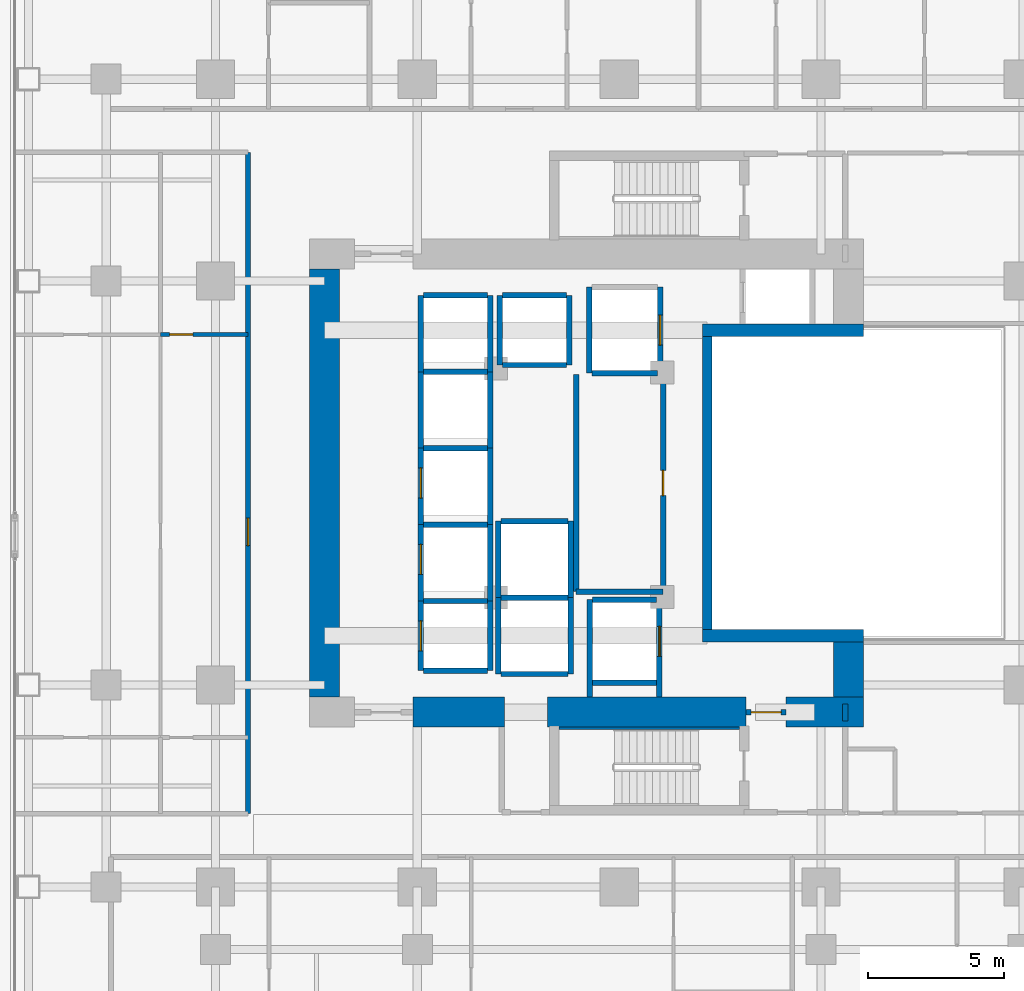
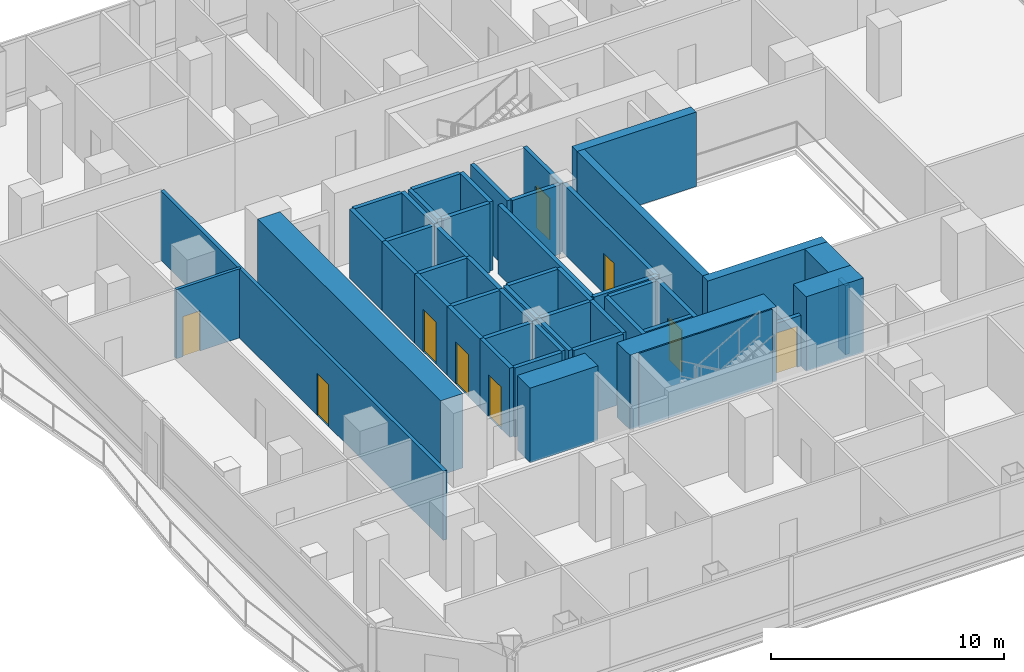
# One storey, part 21 of 27: 50 walls, 9 doors, 9 openings.
"""IFC4 building model written with IfcOpenShell, lengths in metres."""

from ifc_helpers import new_model, si_unit, direction, frame, frame_2d, origin, place, context, subcontext, project, spatial, rectangle, extrude, material, layer, layer_set, type_object, element, fill, save


model = new_model("IFC4")

# Units and contexts
model_context = context("Model", 3, precision=1e-05, world=origin(), true_north=direction((0.0, 1.0)))
body_context = subcontext(model_context, "Body", "Model", "MODEL_VIEW")
ifc_project = project(units=[si_unit("LENGTHUNIT", "METRE"), si_unit("AREAUNIT", "SQUARE_METRE"), si_unit("VOLUMEUNIT", "CUBIC_METRE"), si_unit("PLANEANGLEUNIT", "RADIAN"), si_unit("MASSUNIT", "GRAM", prefix="KILO")], contexts=[model_context])

# Site, building, storey
site_placement = place(None, origin())
site = spatial("IfcSite", under=ifc_project, at=site_placement, CompositionType="ELEMENT")
building_placement = place(site_placement, origin())
building = spatial("IfcBuilding", under=site, at=building_placement, Name="Khorvyn Point Tower", CompositionType="ELEMENT")
storey_placement = place(building_placement, frame((0.0, 0.0, 50.10009765625)))
storey = spatial("IfcBuildingStorey", under=building, at=storey_placement, Name="L13", CompositionType="ELEMENT", Elevation=50.10009765625)

# Wall, opening, door
ifc_material_1 = material(Name="Double acoustic gypsum on twin steel stud", Category="steel")
ifc_layer_1 = layer(ifc_material_1, 0.179931640625)
ifc_layer_set_1 = layer_set([ifc_layer_1], Name="Acoustic Double-Stud Apartment Demising Wall 180")
wall_type_1 = type_object("IfcWallType", Name="Acoustic Double-Stud Apartment Demising Wall 180", PredefinedType="PARTITIONING", material=ifc_layer_set_1)
wall_1_placement = place(storey_placement, frame((-13.60009765625, -12.1201171875, 0.0), z_axis=(0.0, 0.0, 1.0), x_axis=(0.0, 1.0, 0.0)))
wall_1 = element("IfcWall", 1, at=wall_1_placement, inside=storey, type_object=wall_type_1, Name="Wall", PredefinedType="PARTITIONING", context=body_context, shape_type="SweptSolid", body=[
    extrude(rectangle(XDim=24.240234375, YDim=0.179931640625, at=frame_2d((12.1201171875, 0.0))), origin(), (0.0, 0.0, 1.0), 3.619873046875),
])
opening_1_placement = place(wall_1_placement, frame((9.829345703125, 0.0, 0.0)))
opening_1 = element("IfcOpeningElement", 2, at=opening_1_placement, cuts=wall_1, Name="Opening ID-AP60", PredefinedType="OPENING", context=body_context, shape_type="SweptSolid", body=[
    extrude(rectangle(XDim=1.0, YDim=2.199951171875, at=frame_2d((0.5, 1.10009765625))), frame((0.0, 0.099853515625, 0.0), z_axis=(0.0, -1.0, 0.0), x_axis=(1.0, 0.0, 0.0)), (0.0, 0.0, 1.0), 0.199951171875),
])
ifc_material_2 = material(Name="Engineered hardwood fire-rated leaf", Category="wood")
door_type_1 = type_object("IfcDoorType", Name="Acoustic Solid-Core Timber Apartment Entrance Door 1000x2200", OperationType="NOTDEFINED", PredefinedType="DOOR", material=ifc_material_2)
door_1_placement = place(opening_1_placement, origin())
door_1 = element("IfcDoor", 3, at=door_1_placement, inside=storey, type_object=door_type_1, Name="Door", OperationType="SINGLE_SWING_LEFT", OverallHeight=2.199951171875, OverallWidth=1.0, PredefinedType="DOOR", context=body_context, shape_type="SweptSolid", body=[
    extrude(rectangle(XDim=1.0, YDim=2.199951171875, at=frame_2d((0.5, 1.10009765625))), frame((0.0, 0.02490234375, 0.0), z_axis=(0.0, -1.0, 0.0), x_axis=(1.0, 0.0, 0.0)), (0.0, 0.0, 1.0), 0.050048828125),
])
fill(opening_1, door_1)

# Walls
ifc_material_3 = material(Name="Concrete C40/50", Category="concrete")
ifc_layer_2 = layer(ifc_material_3, 0.449951171875)
ifc_layer_set_2 = layer_set([ifc_layer_2], Name="Concrete C40/50 Core Shear Wall 450")
wall_type_2 = type_object("IfcWallType", Name="Concrete C40/50 Core Shear Wall 450", PredefinedType="SHEAR", material=ifc_layer_set_2)
for number, where, z_axis, x_axis, name in (
    (4, (3.044921875, -5.60009765625, 0.0), (0.0, 0.0, 1.0), (1.0, 0.0, 0.0), "Wall"),
    (5, (3.044921875, 5.60009765625, 0.0), (0.0, 0.0, 1.0), (1.0, 0.0, 0.0), "Wall"),
):
    element("IfcWall", number, at=place(storey_placement, frame(where, z_axis=z_axis, x_axis=x_axis)), inside=storey, type_object=wall_type_2, Name=name, PredefinedType="SHEAR", context=body_context, shape_type="SweptSolid", body=[
        extrude(rectangle(XDim=5.905029296875, YDim=0.449951171875, at=frame_2d((2.95263671875, 0.0))), origin(), (0.0, 0.0, 1.0), 3.89990234375),
    ])

# Wall, opening, door
ifc_layer_3 = layer(ifc_material_3, 0.199951171875)
ifc_layer_set_3 = layer_set([ifc_layer_3], Name="Concrete C40/50 Fire-Lobby Compartment Wall 200")
wall_type_3 = type_object("IfcWallType", Name="Concrete C40/50 Fire-Lobby Compartment Wall 200", PredefinedType="SOLIDWALL", material=ifc_layer_set_3)
wall_2_placement = place(storey_placement, frame((4.64990234375, -8.39990234375, 0.0), z_axis=(0.0, 0.0, 1.0), x_axis=(1.0, 0.0, 0.0)))
wall_2 = element("IfcWall", 6, at=wall_2_placement, inside=storey, type_object=wall_type_3, Name="Wall", PredefinedType="SOLIDWALL", context=body_context, shape_type="SweptSolid", body=[
    extrude(rectangle(XDim=1.47021484375, YDim=0.199951171875, at=frame_2d((0.735107421875, 0.0))), origin(), (0.0, 0.0, 1.0), 2.659912109375),
])
opening_2_placement = place(wall_2_placement, frame((0.18505859375, 0.0, 0.0)))
opening_2 = element("IfcOpeningElement", 7, at=opening_2_placement, cuts=wall_2, Name="Opening ID-FL90", PredefinedType="OPENING", context=body_context, shape_type="SweptSolid", body=[
    extrude(rectangle(XDim=1.10009765625, YDim=2.14990234375, at=frame_2d((0.550048828125, 1.074951171875))), frame((0.0, 0.10986328125, 0.0), z_axis=(0.0, -1.0, 0.0), x_axis=(1.0, 0.0, 0.0)), (0.0, 0.0, 1.0), 0.219970703125),
])
ifc_material_4 = material(Name="Galvanised powder-coated steel", Category="steel")
door_type_2 = type_object("IfcDoorType", Name="Fire-Rated Steel Lobby and Stair Door 1100x2150", OperationType="NOTDEFINED", PredefinedType="DOOR", material=ifc_material_4)
door_2_placement = place(opening_2_placement, origin())
door_2 = element("IfcDoor", 8, at=door_2_placement, inside=storey, type_object=door_type_2, Name="Door", OperationType="SINGLE_SWING_LEFT", OverallHeight=2.14990234375, OverallWidth=1.10009765625, PredefinedType="DOOR", context=body_context, shape_type="SweptSolid", body=[
    extrude(rectangle(XDim=1.10009765625, YDim=2.14990234375, at=frame_2d((0.550048828125, 1.074951171875))), frame((0.0, 0.02490234375, 0.0), z_axis=(0.0, -1.0, 0.0), x_axis=(1.0, 0.0, 0.0)), (0.0, 0.0, 1.0), 0.050048828125),
])
fill(opening_2, door_2)

wall_3_placement = place(storey_placement, frame((1.610107421875, -3.97998046875, 0.0), z_axis=(0.0, 0.0, 1.0), x_axis=(0.0, 1.0, 0.0)))
wall_3 = element("IfcWall", 9, at=wall_3_placement, inside=storey, type_object=wall_type_3, Name="Wall", PredefinedType="SOLIDWALL", context=body_context, shape_type="SweptSolid", body=[
    extrude(rectangle(XDim=7.9599609375, YDim=0.199951171875, at=frame_2d((3.97998046875, 0.0))), origin(), (0.0, 0.0, 1.0), 3.619873046875),
])
opening_3_placement = place(wall_3_placement, frame((3.52001953125, 0.0, 0.0)))
opening_3 = element("IfcOpeningElement", 10, at=opening_3_placement, cuts=wall_3, Name="Opening ID-RS60", PredefinedType="OPENING", context=body_context, shape_type="SweptSolid", body=[
    extrude(rectangle(XDim=0.919921875, YDim=2.10009765625, at=frame_2d((0.4599609375, 1.050048828125))), frame((0.0, 0.10986328125, 0.0), z_axis=(0.0, -1.0, 0.0), x_axis=(1.0, 0.0, 0.0)), (0.0, 0.0, 1.0), 0.219970703125),
])
door_type_3 = type_object("IfcDoorType", Name="Fire-Rated Riser and Store Steel Door 920x2100", OperationType="NOTDEFINED", PredefinedType="DOOR", material=ifc_material_4)
door_3_placement = place(opening_3_placement, origin())
door_3 = element("IfcDoor", 11, at=door_3_placement, inside=storey, type_object=door_type_3, Name="Door", OperationType="SINGLE_SWING_RIGHT", OverallHeight=2.10009765625, OverallWidth=0.919921875, PredefinedType="DOOR", context=body_context, shape_type="SweptSolid", body=[
    extrude(rectangle(XDim=0.919921875, YDim=2.10009765625, at=frame_2d((0.4599609375, 1.050048828125))), frame((0.0, 0.02490234375, 0.0), z_axis=(0.0, -1.0, 0.0), x_axis=(1.0, 0.0, 0.0)), (0.0, 0.0, 1.0), 0.050048828125),
])
fill(opening_3, door_3)

# Walls
wall_4_placement = place(storey_placement, frame((-1.580078125, -3.97998046875, 0.0), z_axis=(0.0, 0.0, 1.0), x_axis=(0.0, 1.0, 0.0)))
element("IfcWall", 12, at=wall_4_placement, inside=storey, type_object=wall_type_3, Name="Wall", PredefinedType="SOLIDWALL", context=body_context, shape_type="SweptSolid", body=[
    extrude(rectangle(XDim=7.9599609375, YDim=0.199951171875, at=frame_2d((3.97998046875, 0.0))), origin(), (0.0, 0.0, 1.0), 3.619873046875),
])
wall_5_placement = place(storey_placement, frame((-1.580078125, -3.97998046875, 0.0), z_axis=(0.0, 0.0, 1.0), x_axis=(1.0, 0.0, 0.0)))
element("IfcWall", 13, at=wall_5_placement, inside=storey, type_object=wall_type_3, Name="Wall", PredefinedType="SOLIDWALL", context=body_context, shape_type="SweptSolid", body=[
    extrude(rectangle(XDim=3.190185546875, YDim=0.199951171875, at=frame_2d((1.59521484375, 0.0))), origin(), (0.0, 0.0, 1.0), 3.619873046875),
])
wall_6_placement = place(storey_placement, frame((8.280029296875, -8.72509765625, 0.0), z_axis=(0.0, 0.0, 1.0), x_axis=(0.0, 1.0, 0.0)))
element("IfcWall", 14, at=wall_6_placement, inside=storey, type_object=wall_type_3, Name="Wall", PredefinedType="SOLIDWALL", context=body_context, shape_type="SweptSolid", body=[
    extrude(rectangle(XDim=0.625, YDim=0.199951171875, at=frame_2d((0.3125, 0.0))), origin(), (0.0, 0.0, 1.0), 3.619873046875),
])
ifc_layer_4 = layer(ifc_material_3, 0.25)
ifc_layer_set_4 = layer_set([ifc_layer_4], Name="Concrete C40/50 Stair Inner Cheek Structural Wall 250")
wall_type_4 = type_object("IfcWallType", Name="Concrete C40/50 Stair Inner Cheek Structural Wall 250", PredefinedType="SHEAR", material=ifc_layer_set_4)
wall_7_placement = place(storey_placement, frame((-2.199951171875, -8.987548828125, 0.0), z_axis=(0.0, 0.0, 1.0), x_axis=(1.0, 0.0, 0.0)))
element("IfcWall", 15, at=wall_7_placement, inside=storey, type_object=wall_type_4, Name="Wall", PredefinedType="SHEAR", context=body_context, shape_type="SweptSolid", body=[
    extrude(rectangle(XDim=6.599853515625, YDim=0.074951171875, at=frame_2d((3.2998046875, 0.0))), origin(), (0.0, 0.0, 1.0), 3.89990234375),
])
ifc_layer_5 = layer(ifc_material_3, 0.35009765625)
ifc_layer_set_5 = layer_set([ifc_layer_5], Name="Concrete C40/50 Stair Shaft Structural Wall 350")
wall_type_5 = type_object("IfcWallType", Name="Concrete C40/50 Stair Shaft Structural Wall 350", PredefinedType="SHEAR", material=ifc_layer_set_5)
wall_8_placement = place(storey_placement, frame((3.219970703125, -5.375, 0.0), z_axis=(0.0, 0.0, 1.0), x_axis=(0.0, 1.0, 0.0)))
element("IfcWall", 16, at=wall_8_placement, inside=storey, type_object=wall_type_5, Name="Wall", PredefinedType="SHEAR", context=body_context, shape_type="SweptSolid", body=[
    extrude(rectangle(XDim=10.75, YDim=0.35009765625, at=frame_2d((5.375, 0.0))), origin(), (0.0, 0.0, 1.0), 3.89990234375),
])

# Wall, opening, door
ifc_layer_6 = layer(ifc_material_3, 0.199951171875)
ifc_layer_set_6 = layer_set([ifc_layer_6], Name="Concrete C40/50 Structural Hoistway and Stair Shaft Wall 200")
wall_type_6 = type_object("IfcWallType", Name="Concrete C40/50 Structural Hoistway and Stair Shaft Wall 200", PredefinedType="SHEAR", material=ifc_layer_set_6)
wall_9_placement = place(storey_placement, frame((-7.27490234375, -6.875, 0.0), z_axis=(0.0, 0.0, 1.0), x_axis=(0.0, 1.0, 0.0)))
wall_9 = element("IfcWall", 17, at=wall_9_placement, inside=storey, type_object=wall_type_6, Name="Wall", PredefinedType="SHEAR", context=body_context, shape_type="SweptSolid", body=[
    extrude(rectangle(XDim=2.550048828125, YDim=0.199951171875, at=frame_2d((1.27490234375, 0.0))), origin(), (0.0, 0.0, 1.0), 3.619873046875),
])
opening_4_placement = place(wall_9_placement, frame((0.72509765625, 0.0, 0.0)))
opening_4 = element("IfcOpeningElement", 18, at=opening_4_placement, cuts=wall_9, Name="Opening LD-1122", PredefinedType="OPENING", context=body_context, shape_type="SweptSolid", body=[
    extrude(rectangle(XDim=1.10009765625, YDim=2.199951171875, at=frame_2d((0.550048828125, 1.10009765625))), frame((0.0, 0.10986328125, 0.0), z_axis=(0.0, -1.0, 0.0), x_axis=(1.0, 0.0, 0.0)), (0.0, 0.0, 1.0), 0.219970703125),
])
ifc_material_5 = material(Name="Stainless steel 1.4301", Category="steel")
door_type_4 = type_object("IfcDoorType", Name="Stainless Steel Automatic Sliding Lift Landing Door 1100x2200", OperationType="SLIDING_TO_LEFT", PredefinedType="DOOR", material=ifc_material_5)
door_4_placement = place(opening_4_placement, origin())
door_4 = element("IfcDoor", 19, at=door_4_placement, inside=storey, type_object=door_type_4, Name="L13 RL-01 Sliding Lift Landing Door", OperationType="SLIDING_TO_LEFT", OverallHeight=2.199951171875, OverallWidth=1.10009765625, PredefinedType="DOOR", context=body_context, shape_type="SweptSolid", body=[
    extrude(rectangle(XDim=1.10009765625, YDim=2.199951171875, at=frame_2d((0.550048828125, 1.10009765625))), frame((0.0, 0.02490234375, 0.0), z_axis=(0.0, -1.0, 0.0), x_axis=(1.0, 0.0, 0.0)), (0.0, 0.0, 1.0), 0.050048828125),
])
fill(opening_4, door_4)

# Walls
wall_10_placement = place(storey_placement, frame((-4.72509765625, -6.875, 0.0), z_axis=(0.0, 0.0, 1.0), x_axis=(0.0, 1.0, 0.0)))
element("IfcWall", 20, at=wall_10_placement, inside=storey, type_object=wall_type_6, Name="Wall", PredefinedType="SHEAR", context=body_context, shape_type="SweptSolid", body=[
    extrude(rectangle(XDim=2.550048828125, YDim=0.199951171875, at=frame_2d((1.27490234375, 0.0))), origin(), (0.0, 0.0, 1.0), 3.619873046875),
])
for number, where, z_axis, x_axis, name in (
    (21, (-7.175048828125, -6.875, 0.0), (0.0, 0.0, 1.0), (1.0, 0.0, 0.0), "Wall"),
    (22, (-7.175048828125, -4.324951171875, 0.0), (0.0, 0.0, 1.0), (1.0, 0.0, 0.0), "Wall"),
):
    element("IfcWall", number, at=place(storey_placement, frame(where, z_axis=z_axis, x_axis=x_axis)), inside=storey, type_object=wall_type_6, Name=name, PredefinedType="SHEAR", context=body_context, shape_type="SweptSolid", body=[
        extrude(rectangle(XDim=2.35009765625, YDim=0.199951171875, at=frame_2d((1.175048828125, 0.0))), origin(), (0.0, 0.0, 1.0), 3.619873046875),
    ])

# Wall, opening, door
wall_11_placement = place(storey_placement, frame((-7.27490234375, -4.324951171875, 0.0), z_axis=(0.0, 0.0, 1.0), x_axis=(0.0, 1.0, 0.0)))
wall_11 = element("IfcWall", 23, at=wall_11_placement, inside=storey, type_object=wall_type_6, Name="Wall", PredefinedType="SHEAR", context=body_context, shape_type="SweptSolid", body=[
    extrude(rectangle(XDim=2.800048828125, YDim=0.199951171875, at=frame_2d((1.39990234375, 0.0))), origin(), (0.0, 0.0, 1.0), 3.619873046875),
])
opening_5_placement = place(wall_11_placement, frame((0.97509765625, 0.0, 0.0)))
opening_5 = element("IfcOpeningElement", 24, at=opening_5_placement, cuts=wall_11, Name="Opening LD-1122", PredefinedType="OPENING", context=body_context, shape_type="SweptSolid", body=[
    extrude(rectangle(XDim=1.10009765625, YDim=2.199951171875, at=frame_2d((0.550048828125, 1.10009765625))), frame((0.0, 0.10986328125, 0.0), z_axis=(0.0, -1.0, 0.0), x_axis=(1.0, 0.0, 0.0)), (0.0, 0.0, 1.0), 0.219970703125),
])
door_5_placement = place(opening_5_placement, origin())
door_5 = element("IfcDoor", 25, at=door_5_placement, inside=storey, type_object=door_type_4, Name="L13 RL-02 Sliding Lift Landing Door", OperationType="SLIDING_TO_LEFT", OverallHeight=2.199951171875, OverallWidth=1.10009765625, PredefinedType="DOOR", context=body_context, shape_type="SweptSolid", body=[
    extrude(rectangle(XDim=1.10009765625, YDim=2.199951171875, at=frame_2d((0.550048828125, 1.10009765625))), frame((0.0, 0.02490234375, 0.0), z_axis=(0.0, -1.0, 0.0), x_axis=(1.0, 0.0, 0.0)), (0.0, 0.0, 1.0), 0.050048828125),
])
fill(opening_5, door_5)

# Walls
wall_12_placement = place(storey_placement, frame((-4.72509765625, -4.324951171875, 0.0), z_axis=(0.0, 0.0, 1.0), x_axis=(0.0, 1.0, 0.0)))
element("IfcWall", 26, at=wall_12_placement, inside=storey, type_object=wall_type_6, Name="Wall", PredefinedType="SHEAR", context=body_context, shape_type="SweptSolid", body=[
    extrude(rectangle(XDim=2.800048828125, YDim=0.199951171875, at=frame_2d((1.39990234375, 0.0))), origin(), (0.0, 0.0, 1.0), 3.619873046875),
])
wall_13_placement = place(storey_placement, frame((-7.175048828125, -1.52490234375, 0.0), z_axis=(0.0, 0.0, 1.0), x_axis=(1.0, 0.0, 0.0)))
element("IfcWall", 27, at=wall_13_placement, inside=storey, type_object=wall_type_6, Name="Wall", PredefinedType="SHEAR", context=body_context, shape_type="SweptSolid", body=[
    extrude(rectangle(XDim=2.35009765625, YDim=0.199951171875, at=frame_2d((1.175048828125, 0.0))), origin(), (0.0, 0.0, 1.0), 3.619873046875),
])

# Wall, opening, door
wall_14_placement = place(storey_placement, frame((-7.27490234375, -1.52490234375, 0.0), z_axis=(0.0, 0.0, 1.0), x_axis=(0.0, 1.0, 0.0)))
wall_14 = element("IfcWall", 28, at=wall_14_placement, inside=storey, type_object=wall_type_6, Name="Wall", PredefinedType="SHEAR", context=body_context, shape_type="SweptSolid", body=[
    extrude(rectangle(XDim=2.7998046875, YDim=0.199951171875, at=frame_2d((1.39990234375, 0.0))), origin(), (0.0, 0.0, 1.0), 3.619873046875),
])
opening_6_placement = place(wall_14_placement, frame((0.97509765625, 0.0, 0.0)))
opening_6 = element("IfcOpeningElement", 29, at=opening_6_placement, cuts=wall_14, Name="Opening LD-1122", PredefinedType="OPENING", context=body_context, shape_type="SweptSolid", body=[
    extrude(rectangle(XDim=1.10009765625, YDim=2.199951171875, at=frame_2d((0.550048828125, 1.10009765625))), frame((0.0, 0.10986328125, 0.0), z_axis=(0.0, -1.0, 0.0), x_axis=(1.0, 0.0, 0.0)), (0.0, 0.0, 1.0), 0.219970703125),
])
door_6_placement = place(opening_6_placement, origin())
door_6 = element("IfcDoor", 30, at=door_6_placement, inside=storey, type_object=door_type_4, Name="L13 RL-03 Sliding Lift Landing Door", OperationType="SLIDING_TO_LEFT", OverallHeight=2.199951171875, OverallWidth=1.10009765625, PredefinedType="DOOR", context=body_context, shape_type="SweptSolid", body=[
    extrude(rectangle(XDim=1.10009765625, YDim=2.199951171875, at=frame_2d((0.550048828125, 1.10009765625))), frame((0.0, 0.02490234375, 0.0), z_axis=(0.0, -1.0, 0.0), x_axis=(1.0, 0.0, 0.0)), (0.0, 0.0, 1.0), 0.050048828125),
])
fill(opening_6, door_6)

# Walls
wall_15_placement = place(storey_placement, frame((-4.72509765625, -1.52490234375, 0.0), z_axis=(0.0, 0.0, 1.0), x_axis=(0.0, 1.0, 0.0)))
element("IfcWall", 31, at=wall_15_placement, inside=storey, type_object=wall_type_6, Name="Wall", PredefinedType="SHEAR", context=body_context, shape_type="SweptSolid", body=[
    extrude(rectangle(XDim=2.7998046875, YDim=0.199951171875, at=frame_2d((1.39990234375, 0.0))), origin(), (0.0, 0.0, 1.0), 3.619873046875),
])
wall_16_placement = place(storey_placement, frame((-7.175048828125, 1.27490234375, 0.0), z_axis=(0.0, 0.0, 1.0), x_axis=(1.0, 0.0, 0.0)))
element("IfcWall", 32, at=wall_16_placement, inside=storey, type_object=wall_type_6, Name="Wall", PredefinedType="SHEAR", context=body_context, shape_type="SweptSolid", body=[
    extrude(rectangle(XDim=2.35009765625, YDim=0.199951171875, at=frame_2d((1.175048828125, 0.0))), origin(), (0.0, 0.0, 1.0), 3.619873046875),
])
for number, where, z_axis, x_axis, name in (
    (33, (-7.27490234375, 1.27490234375, 0.0), (0.0, 0.0, 1.0), (0.0, 1.0, 0.0), "Wall"),
    (34, (-4.72509765625, 1.27490234375, 0.0), (0.0, 0.0, 1.0), (0.0, 1.0, 0.0), "Wall"),
):
    element("IfcWall", number, at=place(storey_placement, frame(where, z_axis=z_axis, x_axis=x_axis)), inside=storey, type_object=wall_type_6, Name=name, PredefinedType="SHEAR", context=body_context, shape_type="SweptSolid", body=[
        extrude(rectangle(XDim=2.800048828125, YDim=0.199951171875, at=frame_2d((1.39990234375, 0.0))), origin(), (0.0, 0.0, 1.0), 3.619873046875),
    ])
wall_17_placement = place(storey_placement, frame((-7.175048828125, 4.074951171875, 0.0), z_axis=(0.0, 0.0, 1.0), x_axis=(1.0, 0.0, 0.0)))
element("IfcWall", 35, at=wall_17_placement, inside=storey, type_object=wall_type_6, Name="Wall", PredefinedType="SHEAR", context=body_context, shape_type="SweptSolid", body=[
    extrude(rectangle(XDim=2.35009765625, YDim=0.199951171875, at=frame_2d((1.175048828125, 0.0))), origin(), (0.0, 0.0, 1.0), 3.619873046875),
])
for number, where, z_axis, x_axis, name in (
    (36, (-7.27490234375, 4.074951171875, 0.0), (0.0, 0.0, 1.0), (0.0, 1.0, 0.0), "Wall"),
    (37, (-4.72509765625, 4.074951171875, 0.0), (0.0, 0.0, 1.0), (0.0, 1.0, 0.0), "Wall"),
):
    element("IfcWall", number, at=place(storey_placement, frame(where, z_axis=z_axis, x_axis=x_axis)), inside=storey, type_object=wall_type_6, Name=name, PredefinedType="SHEAR", context=body_context, shape_type="SweptSolid", body=[
        extrude(rectangle(XDim=2.800048828125, YDim=0.199951171875, at=frame_2d((1.39990234375, 0.0))), origin(), (0.0, 0.0, 1.0), 3.619873046875),
    ])
wall_18_placement = place(storey_placement, frame((-7.175048828125, 6.875, 0.0), z_axis=(0.0, 0.0, 1.0), x_axis=(1.0, 0.0, 0.0)))
element("IfcWall", 38, at=wall_18_placement, inside=storey, type_object=wall_type_6, Name="Wall", PredefinedType="SHEAR", context=body_context, shape_type="SweptSolid", body=[
    extrude(rectangle(XDim=2.35009765625, YDim=0.199951171875, at=frame_2d((1.175048828125, 0.0))), origin(), (0.0, 0.0, 1.0), 3.619873046875),
])
for number, where, z_axis, x_axis, name in (
    (39, (-4.375, 4.324951171875, 0.0), (0.0, 0.0, 1.0), (0.0, 1.0, 0.0), "Wall"),
    (40, (-1.824951171875, 4.324951171875, 0.0), (0.0, 0.0, 1.0), (0.0, 1.0, 0.0), "Wall"),
):
    element("IfcWall", number, at=place(storey_placement, frame(where, z_axis=z_axis, x_axis=x_axis)), inside=storey, type_object=wall_type_6, Name=name, PredefinedType="SHEAR", context=body_context, shape_type="SweptSolid", body=[
        extrude(rectangle(XDim=2.550048828125, YDim=0.199951171875, at=frame_2d((1.27490234375, 0.0))), origin(), (0.0, 0.0, 1.0), 3.619873046875),
    ])
for number, where, z_axis, x_axis, name in (
    (41, (-4.27490234375, 4.324951171875, 0.0), (0.0, 0.0, 1.0), (1.0, 0.0, 0.0), "Wall"),
    (42, (-4.27490234375, 6.875, 0.0), (0.0, 0.0, 1.0), (1.0, 0.0, 0.0), "Wall"),
):
    element("IfcWall", number, at=place(storey_placement, frame(where, z_axis=z_axis, x_axis=x_axis)), inside=storey, type_object=wall_type_6, Name=name, PredefinedType="SHEAR", context=body_context, shape_type="SweptSolid", body=[
        extrude(rectangle(XDim=2.349853515625, YDim=0.199951171875, at=frame_2d((1.1748046875, 0.0))), origin(), (0.0, 0.0, 1.0), 3.619873046875),
    ])
for number, where, z_axis, x_axis, name in (
    (43, (-4.425048828125, -7.0, 0.0), (0.0, 0.0, 1.0), (0.0, 1.0, 0.0), "Wall"),
    (44, (-1.77490234375, -7.0, 0.0), (0.0, 0.0, 1.0), (0.0, 1.0, 0.0), "Wall"),
):
    element("IfcWall", number, at=place(storey_placement, frame(where, z_axis=z_axis, x_axis=x_axis)), inside=storey, type_object=wall_type_6, Name=name, PredefinedType="SHEAR", context=body_context, shape_type="SweptSolid", body=[
        extrude(rectangle(XDim=2.800048828125, YDim=0.199951171875, at=frame_2d((1.39990234375, 0.0))), origin(), (0.0, 0.0, 1.0), 3.619873046875),
    ])
for number, where, z_axis, x_axis, name in (
    (45, (-4.324951171875, -7.0, 0.0), (0.0, 0.0, 1.0), (1.0, 0.0, 0.0), "Wall"),
    (46, (-4.324951171875, -4.199951171875, 0.0), (0.0, 0.0, 1.0), (1.0, 0.0, 0.0), "Wall"),
):
    element("IfcWall", number, at=place(storey_placement, frame(where, z_axis=z_axis, x_axis=x_axis)), inside=storey, type_object=wall_type_6, Name=name, PredefinedType="SHEAR", context=body_context, shape_type="SweptSolid", body=[
        extrude(rectangle(XDim=2.449951171875, YDim=0.199951171875, at=frame_2d((1.22509765625, 0.0))), origin(), (0.0, 0.0, 1.0), 3.619873046875),
    ])
for number, where, z_axis, x_axis, name in (
    (47, (-4.425048828125, -4.199951171875, 0.0), (0.0, 0.0, 1.0), (0.0, 1.0, 0.0), "Wall"),
    (48, (-1.77490234375, -4.199951171875, 0.0), (0.0, 0.0, 1.0), (0.0, 1.0, 0.0), "Wall"),
):
    element("IfcWall", number, at=place(storey_placement, frame(where, z_axis=z_axis, x_axis=x_axis)), inside=storey, type_object=wall_type_6, Name=name, PredefinedType="SHEAR", context=body_context, shape_type="SweptSolid", body=[
        extrude(rectangle(XDim=2.800048828125, YDim=0.199951171875, at=frame_2d((1.39990234375, 0.0))), origin(), (0.0, 0.0, 1.0), 3.619873046875),
    ])
wall_19_placement = place(storey_placement, frame((-4.324951171875, -1.39990234375, 0.0), z_axis=(0.0, 0.0, 1.0), x_axis=(1.0, 0.0, 0.0)))
element("IfcWall", 49, at=wall_19_placement, inside=storey, type_object=wall_type_6, Name="Wall", PredefinedType="SHEAR", context=body_context, shape_type="SweptSolid", body=[
    extrude(rectangle(XDim=2.449951171875, YDim=0.199951171875, at=frame_2d((1.22509765625, 0.0))), origin(), (0.0, 0.0, 1.0), 3.619873046875),
])
wall_20_placement = place(storey_placement, frame((-1.10009765625, 4.02490234375, 0.0), z_axis=(0.0, 0.0, 1.0), x_axis=(0.0, 1.0, 0.0)))
element("IfcWall", 50, at=wall_20_placement, inside=storey, type_object=wall_type_6, Name="Wall", PredefinedType="SHEAR", context=body_context, shape_type="SweptSolid", body=[
    extrude(rectangle(XDim=3.150146484375, YDim=0.199951171875, at=frame_2d((1.5751953125, 0.0))), origin(), (0.0, 0.0, 1.0), 3.619873046875),
])

# Wall, opening, door
wall_21_placement = place(storey_placement, frame((1.5, 4.02490234375, 0.0), z_axis=(0.0, 0.0, 1.0), x_axis=(0.0, 1.0, 0.0)))
wall_21 = element("IfcWall", 51, at=wall_21_placement, inside=storey, type_object=wall_type_6, Name="Wall", PredefinedType="SHEAR", context=body_context, shape_type="SweptSolid", body=[
    extrude(rectangle(XDim=3.150146484375, YDim=0.199951171875, at=frame_2d((1.5751953125, 0.0))), origin(), (0.0, 0.0, 1.0), 3.619873046875),
])
opening_7_placement = place(wall_21_placement, frame((1.02490234375, 0.0, 0.0)))
opening_7 = element("IfcOpeningElement", 52, at=opening_7_placement, cuts=wall_21, Name="Opening LD-1122", PredefinedType="OPENING", context=body_context, shape_type="SweptSolid", body=[
    extrude(rectangle(XDim=1.10009765625, YDim=2.199951171875, at=frame_2d((0.550048828125, 1.10009765625))), frame((0.0, 0.10986328125, 0.0), z_axis=(0.0, -1.0, 0.0), x_axis=(1.0, 0.0, 0.0)), (0.0, 0.0, 1.0), 0.219970703125),
])
door_7_placement = place(opening_7_placement, origin())
door_7 = element("IfcDoor", 53, at=door_7_placement, inside=storey, type_object=door_type_4, Name="L13 SV-01 Sliding Lift Landing Door", OperationType="SLIDING_TO_LEFT", OverallHeight=2.199951171875, OverallWidth=1.10009765625, PredefinedType="DOOR", context=body_context, shape_type="SweptSolid", body=[
    extrude(rectangle(XDim=1.10009765625, YDim=2.199951171875, at=frame_2d((0.550048828125, 1.10009765625))), frame((0.0, 0.02490234375, 0.0), z_axis=(0.0, -1.0, 0.0), x_axis=(1.0, 0.0, 0.0)), (0.0, 0.0, 1.0), 0.050048828125),
])
fill(opening_7, door_7)

# Walls
wall_22_placement = place(storey_placement, frame((-1.0, 4.02490234375, 0.0), z_axis=(0.0, 0.0, 1.0), x_axis=(1.0, 0.0, 0.0)))
element("IfcWall", 54, at=wall_22_placement, inside=storey, type_object=wall_type_6, Name="Wall", PredefinedType="SHEAR", context=body_context, shape_type="SweptSolid", body=[
    extrude(rectangle(XDim=2.39990234375, YDim=0.199951171875, at=frame_2d((1.199951171875, 0.0))), origin(), (0.0, 0.0, 1.0), 3.619873046875),
])
wall_23_placement = place(storey_placement, frame((-1.074951171875, -7.85009765625, 0.0), z_axis=(0.0, 0.0, 1.0), x_axis=(0.0, 1.0, 0.0)))
element("IfcWall", 55, at=wall_23_placement, inside=storey, type_object=wall_type_6, Name="Wall", PredefinedType="SHEAR", context=body_context, shape_type="SweptSolid", body=[
    extrude(rectangle(XDim=3.5751953125, YDim=0.199951171875, at=frame_2d((1.78759765625, 0.0))), origin(), (0.0, 0.0, 1.0), 3.619873046875),
])

# Wall, opening, door
wall_24_placement = place(storey_placement, frame((1.47509765625, -7.85009765625, 0.0), z_axis=(0.0, 0.0, 1.0), x_axis=(0.0, 1.0, 0.0)))
wall_24 = element("IfcWall", 56, at=wall_24_placement, inside=storey, type_object=wall_type_6, Name="Wall", PredefinedType="SHEAR", context=body_context, shape_type="SweptSolid", body=[
    extrude(rectangle(XDim=3.5751953125, YDim=0.199951171875, at=frame_2d((1.78759765625, 0.0))), origin(), (0.0, 0.0, 1.0), 3.619873046875),
])
opening_8_placement = place(wall_24_placement, frame((1.5, 0.0, 0.0)))
opening_8 = element("IfcOpeningElement", 57, at=opening_8_placement, cuts=wall_24, Name="Opening LD-1122", PredefinedType="OPENING", context=body_context, shape_type="SweptSolid", body=[
    extrude(rectangle(XDim=1.10009765625, YDim=2.199951171875, at=frame_2d((0.550048828125, 1.10009765625))), frame((0.0, 0.10986328125, 0.0), z_axis=(0.0, -1.0, 0.0), x_axis=(1.0, 0.0, 0.0)), (0.0, 0.0, 1.0), 0.219970703125),
])
door_8_placement = place(opening_8_placement, origin())
door_8 = element("IfcDoor", 58, at=door_8_placement, inside=storey, type_object=door_type_4, Name="L13 FF-01 Sliding Lift Landing Door", OperationType="SLIDING_TO_LEFT", OverallHeight=2.199951171875, OverallWidth=1.10009765625, PredefinedType="DOOR", context=body_context, shape_type="SweptSolid", body=[
    extrude(rectangle(XDim=1.10009765625, YDim=2.199951171875, at=frame_2d((0.550048828125, 1.10009765625))), frame((0.0, 0.02490234375, 0.0), z_axis=(0.0, -1.0, 0.0), x_axis=(1.0, 0.0, 0.0)), (0.0, 0.0, 1.0), 0.050048828125),
])
fill(opening_8, door_8)

# Walls
for number, where, z_axis, x_axis, name in (
    (59, (-0.97509765625, -7.324951171875, 0.0), (0.0, 0.0, 1.0), (1.0, 0.0, 0.0), "Wall"),
    (60, (-0.97509765625, -4.27490234375, 0.0), (0.0, 0.0, 1.0), (1.0, 0.0, 0.0), "Wall"),
):
    element("IfcWall", number, at=place(storey_placement, frame(where, z_axis=z_axis, x_axis=x_axis)), inside=storey, type_object=wall_type_6, Name=name, PredefinedType="SHEAR", context=body_context, shape_type="SweptSolid", body=[
        extrude(rectangle(XDim=2.35009765625, YDim=0.199951171875, at=frame_2d((1.175048828125, 0.0))), origin(), (0.0, 0.0, 1.0), 3.619873046875),
    ])
ifc_material_6 = material(Name="Concrete C50/60", Category="concrete")
ifc_layer_7 = layer(ifc_material_6, 1.10009765625)
ifc_layer_set_7 = layer_set([ifc_layer_7], Name="Concrete C50/60 Core Shear Wall 1100")
wall_type_7 = type_object("IfcWallType", Name="Concrete C50/60 Core Shear Wall 1100", PredefinedType="SHEAR", material=ifc_layer_set_7)
wall_25_placement = place(storey_placement, frame((-7.550048828125, -8.39990234375, 0.0), z_axis=(0.0, 0.0, 1.0), x_axis=(1.0, 0.0, 0.0)))
element("IfcWall", 61, at=wall_25_placement, inside=storey, type_object=wall_type_7, Name="Wall", PredefinedType="SHEAR", context=body_context, shape_type="SweptSolid", body=[
    extrude(rectangle(XDim=3.35009765625, YDim=1.10009765625, at=frame_2d((1.675048828125, 0.0))), origin(), (0.0, 0.0, 1.0), 3.89990234375),
])
wall_26_placement = place(storey_placement, frame((-2.6201171875, -8.39990234375, 0.0), z_axis=(0.0, 0.0, 1.0), x_axis=(1.0, 0.0, 0.0)))
element("IfcWall", 62, at=wall_26_placement, inside=storey, type_object=wall_type_7, Name="Wall", PredefinedType="SHEAR", context=body_context, shape_type="SweptSolid", body=[
    extrude(rectangle(XDim=7.27001953125, YDim=1.10009765625, at=frame_2d((3.635009765625, 0.0))), origin(), (0.0, 0.0, 1.0), 3.89990234375),
])
wall_27_placement = place(storey_placement, frame((6.1201171875, -8.39990234375, 0.0), z_axis=(0.0, 0.0, 1.0), x_axis=(1.0, 0.0, 0.0)))
element("IfcWall", 63, at=wall_27_placement, inside=storey, type_object=wall_type_7, Name="Wall", PredefinedType="SHEAR", context=body_context, shape_type="SweptSolid", body=[
    extrude(rectangle(XDim=2.829833984375, YDim=1.10009765625, at=frame_2d((1.4150390625, 0.0))), origin(), (0.0, 0.0, 1.0), 3.89990234375),
])
wall_28_placement = place(storey_placement, frame((-10.800048828125, -7.85009765625, 0.0), z_axis=(0.0, 0.0, 1.0), x_axis=(0.0, 1.0, 0.0)))
element("IfcWall", 64, at=wall_28_placement, inside=storey, type_object=wall_type_7, Name="Wall", PredefinedType="SHEAR", context=body_context, shape_type="SweptSolid", body=[
    extrude(rectangle(XDim=15.7001953125, YDim=1.10009765625, at=frame_2d((7.85009765625, 0.0))), origin(), (0.0, 0.0, 1.0), 3.89990234375),
])
wall_29_placement = place(storey_placement, frame((8.39990234375, -7.85009765625, 0.0), z_axis=(0.0, 0.0, 1.0), x_axis=(0.0, 1.0, 0.0)))
element("IfcWall", 65, at=wall_29_placement, inside=storey, type_object=wall_type_7, Name="Wall", PredefinedType="SHEAR", context=body_context, shape_type="SweptSolid", body=[
    extrude(rectangle(XDim=2.025146484375, YDim=1.10009765625, at=frame_2d((1.0126953125, 0.0))), origin(), (0.0, 0.0, 1.0), 3.89990234375),
])

# Wall, opening, door
ifc_material_7 = material(Name="Moisture-resistant gypsum and cement board", Category="gypsum")
ifc_layer_8 = layer(ifc_material_7, 0.14990234375)
ifc_layer_set_8 = layer_set([ifc_layer_8], Name="Moisture-Resistant Wet-Room Partition Wall 150")
wall_type_8 = type_object("IfcWallType", Name="Moisture-Resistant Wet-Room Partition Wall 150", PredefinedType="PARTITIONING", material=ifc_layer_set_8)
wall_30_placement = place(storey_placement, frame((-16.80810546875, 5.43603515625, 0.0), z_axis=(0.0, 0.0, 1.0), x_axis=(1.0, 0.0, 0.0)))
wall_30 = element("IfcWall", 66, at=wall_30_placement, inside=storey, type_object=wall_type_8, Name="Wall", PredefinedType="PARTITIONING", context=body_context, shape_type="SweptSolid", body=[
    extrude(rectangle(XDim=3.2080078125, YDim=0.14990234375, at=frame_2d((1.60400390625, 0.0))), origin(), (0.0, 0.0, 1.0), 3.619873046875),
])
opening_9_placement = place(wall_30_placement, frame((0.329833984375, 0.0, 0.0)))
opening_9 = element("IfcOpeningElement", 67, at=opening_9_placement, cuts=wall_30, Name="Opening ID-WC85", PredefinedType="OPENING", context=body_context, shape_type="SweptSolid", body=[
    extrude(rectangle(XDim=0.85009765625, YDim=2.10009765625, at=frame_2d((0.425048828125, 1.050048828125))), frame((0.0, 0.0849609375, 0.0), z_axis=(0.0, -1.0, 0.0), x_axis=(1.0, 0.0, 0.0)), (0.0, 0.0, 1.0), 0.169921875),
])
ifc_material_8 = material(Name="High-pressure laminate on moisture-resistant core", Category="wood")
door_type_5 = type_object("IfcDoorType", Name="Moisture-Resistant Accessible Washroom Door 850x2100", OperationType="NOTDEFINED", PredefinedType="DOOR", material=ifc_material_8)
door_9_placement = place(opening_9_placement, origin())
door_9 = element("IfcDoor", 68, at=door_9_placement, inside=storey, type_object=door_type_5, Name="Door", OperationType="SINGLE_SWING_LEFT", OverallHeight=2.10009765625, OverallWidth=0.85009765625, PredefinedType="DOOR", context=body_context, shape_type="SweptSolid", body=[
    extrude(rectangle(XDim=0.85009765625, YDim=2.10009765625, at=frame_2d((0.425048828125, 1.050048828125))), frame((0.0, 0.02490234375, 0.0), z_axis=(0.0, -1.0, 0.0), x_axis=(1.0, 0.0, 0.0)), (0.0, 0.0, 1.0), 0.050048828125),
])
fill(opening_9, door_9)

save(model, "model.ifc")
